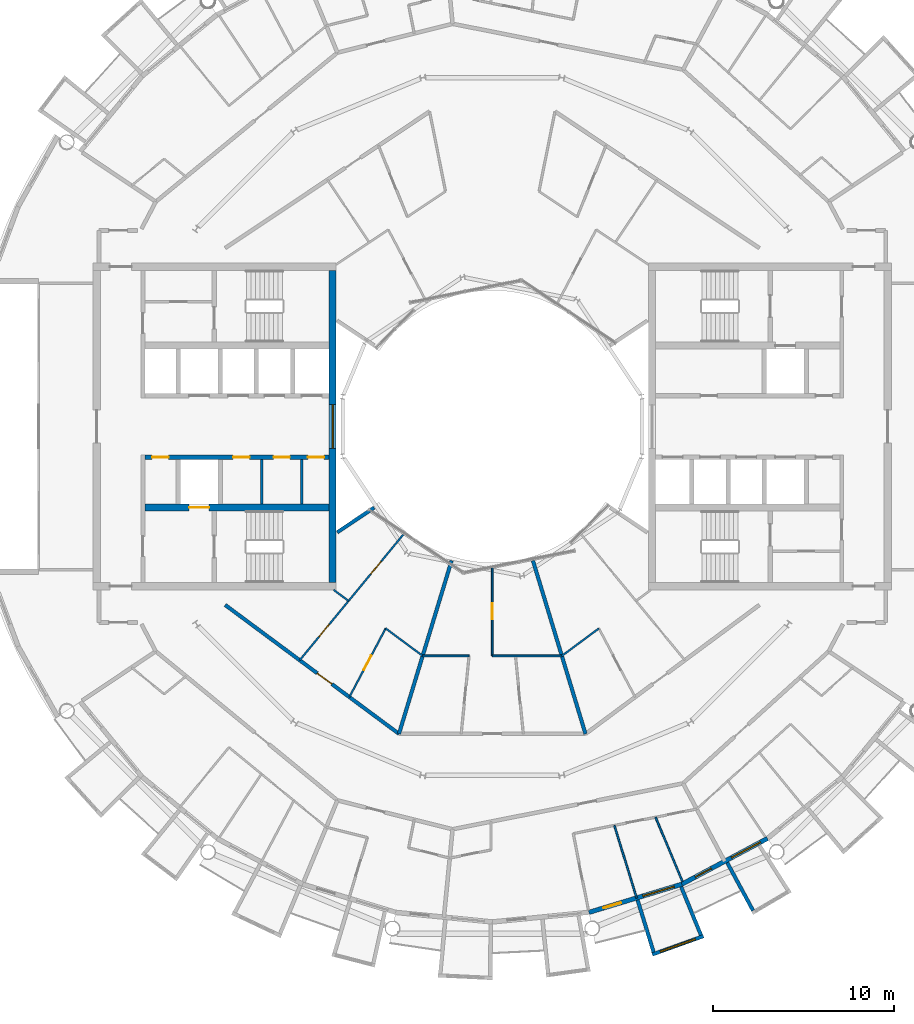
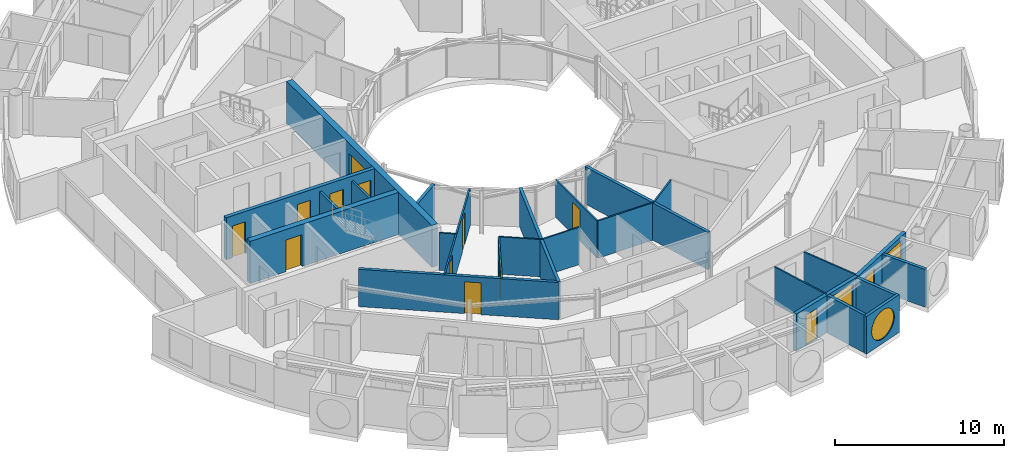
# One storey, part 17 of 28: 25 walls, 12 doors, 4 windows, 16 openings.
"""IFC4 building model written with IfcOpenShell, lengths in metres."""

from ifc_helpers import new_model, si_unit, direction, frame, frame_2d, origin, place, context, subcontext, project, spatial, rectangle, circle, extrude, material, layer, layer_set, type_object, element, fill, save


model = new_model("IFC4")

# Units and contexts
model_context = context("Model", 3, precision=1e-05, world=origin(), true_north=direction((0.0, 1.0)))
body_context = subcontext(model_context, "Body", "Model", "MODEL_VIEW")
ifc_project = project(units=[si_unit("LENGTHUNIT", "METRE"), si_unit("AREAUNIT", "SQUARE_METRE"), si_unit("VOLUMEUNIT", "CUBIC_METRE"), si_unit("PLANEANGLEUNIT", "RADIAN"), si_unit("MASSUNIT", "GRAM", prefix="KILO")], contexts=[model_context])

# Site, building, storey
site_placement = place(None, origin())
site = spatial("IfcSite", under=ifc_project, at=site_placement, CompositionType="ELEMENT")
building_placement = place(site_placement, origin())
building = spatial("IfcBuilding", under=site, at=building_placement, Name="Maasbend Ring Residences", CompositionType="ELEMENT")
storey_placement = place(building_placement, frame((0.0, 0.0, 227.949951171875)))
storey = spatial("IfcBuildingStorey", under=building, at=storey_placement, Name="L65", CompositionType="ELEMENT", Elevation=227.949951171875)

# Wall, openings, doors
ifc_material_1 = material(Name="Concrete C50/60", Category="concrete")
ifc_layer_1 = layer(ifc_material_1, 0.25)
ifc_layer_set_1 = layer_set([ifc_layer_1], Name="Concrete C50/60")
wall_type_1 = type_object("IfcWallType", Name="CORE WALL 250 C50/60", PredefinedType="SHEAR", material=ifc_layer_set_1)
wall_1_placement = place(storey_placement, frame((-9.0, -1.699951171875, 0.0), z_axis=(0.0, 0.0, 1.0), x_axis=(-1.0, 0.0, 0.0)))
wall_1 = element("IfcWall", 1, at=wall_1_placement, inside=storey, type_object=wall_type_1, Name="L65 core W wall SPN", PredefinedType="SHEAR", context=body_context, shape_type="SweptSolid", body=[
    extrude(rectangle(XDim=10.14990234375, YDim=0.25, at=frame_2d((5.074951171875, 0.0))), origin(), (0.0, 0.0, 1.0), 3.050048828125),
])
opening_1_placement = place(wall_1_placement, frame((0.262451171875, 0.0, 0.0)))
opening_1 = element("IfcOpeningElement", 2, at=opening_1_placement, cuts=wall_1, Name="Opening D-W6506", PredefinedType="OPENING", context=body_context, shape_type="SweptSolid", body=[
    extrude(rectangle(XDim=0.89990234375, YDim=2.300048828125, at=frame_2d((0.449951171875, 1.14990234375))), frame((0.0, 0.135009765625, 0.0), z_axis=(0.0, -1.0, 0.0), x_axis=(1.0, 0.0, 0.0)), (0.0, 0.0, 1.0), 0.27001953125),
])
opening_2_placement = place(wall_1_placement, frame((2.14990234375, 0.0, 0.0)))
opening_2 = element("IfcOpeningElement", 3, at=opening_2_placement, cuts=wall_1, Name="Opening D-W6507", PredefinedType="OPENING", context=body_context, shape_type="SweptSolid", body=[
    extrude(rectangle(XDim=0.89990234375, YDim=2.300048828125, at=frame_2d((0.449951171875, 1.14990234375))), frame((0.0, 0.135009765625, 0.0), z_axis=(0.0, -1.0, 0.0), x_axis=(1.0, 0.0, 0.0)), (0.0, 0.0, 1.0), 0.27001953125),
])
opening_3_placement = place(wall_1_placement, frame((4.375, 0.0, 0.0)))
opening_3 = element("IfcOpeningElement", 4, at=opening_3_placement, cuts=wall_1, Name="Opening D-W6508", PredefinedType="OPENING", context=body_context, shape_type="SweptSolid", body=[
    extrude(rectangle(XDim=0.89990234375, YDim=2.300048828125, at=frame_2d((0.449951171875, 1.14990234375))), frame((0.0, 0.135009765625, 0.0), z_axis=(0.0, -1.0, 0.0), x_axis=(1.0, 0.0, 0.0)), (0.0, 0.0, 1.0), 0.27001953125),
])
opening_4_placement = place(wall_1_placement, frame((8.83740234375, 0.0, 0.0)))
opening_4 = element("IfcOpeningElement", 5, at=opening_4_placement, cuts=wall_1, Name="Opening D-W6509", PredefinedType="OPENING", context=body_context, shape_type="SweptSolid", body=[
    extrude(rectangle(XDim=0.89990234375, YDim=2.300048828125, at=frame_2d((0.449951171875, 1.14990234375))), frame((0.0, 0.135009765625, 0.0), z_axis=(0.0, -1.0, 0.0), x_axis=(1.0, 0.0, 0.0)), (0.0, 0.0, 1.0), 0.27001953125),
])
ifc_material_2 = material(Name="Steel, powder coated", Category="steel")
door_type_1 = type_object("IfcDoorType", Name="ROOM DOOR 900 X 2300 FD30S", OperationType="NOTDEFINED", PredefinedType="DOOR", material=ifc_material_2)
door_1_placement = place(opening_1_placement, origin())
door_1 = element("IfcDoor", 6, at=door_1_placement, inside=storey, type_object=door_type_1, Name="Room door L65", OperationType="SINGLE_SWING_RIGHT", OverallHeight=2.300048828125, OverallWidth=0.89990234375, PredefinedType="DOOR", context=body_context, shape_type="SweptSolid", body=[
    extrude(rectangle(XDim=0.89990234375, YDim=2.300048828125, at=frame_2d((0.449951171875, 1.14990234375))), frame((0.0, 0.02490234375, 0.0), z_axis=(0.0, -1.0, 0.0), x_axis=(1.0, 0.0, 0.0)), (0.0, 0.0, 1.0), 0.050048828125),
])
fill(opening_1, door_1)
door_2_placement = place(opening_2_placement, origin())
door_2 = element("IfcDoor", 7, at=door_2_placement, inside=storey, type_object=door_type_1, Name="Room door L65", OperationType="SINGLE_SWING_RIGHT", OverallHeight=2.300048828125, OverallWidth=0.89990234375, PredefinedType="DOOR", context=body_context, shape_type="SweptSolid", body=[
    extrude(rectangle(XDim=0.89990234375, YDim=2.300048828125, at=frame_2d((0.449951171875, 1.14990234375))), frame((0.0, 0.02490234375, 0.0), z_axis=(0.0, -1.0, 0.0), x_axis=(1.0, 0.0, 0.0)), (0.0, 0.0, 1.0), 0.050048828125),
])
fill(opening_2, door_2)
door_3_placement = place(opening_3_placement, origin())
door_3 = element("IfcDoor", 8, at=door_3_placement, inside=storey, type_object=door_type_1, Name="Room door L65", OperationType="SINGLE_SWING_RIGHT", OverallHeight=2.300048828125, OverallWidth=0.89990234375, PredefinedType="DOOR", context=body_context, shape_type="SweptSolid", body=[
    extrude(rectangle(XDim=0.89990234375, YDim=2.300048828125, at=frame_2d((0.449951171875, 1.14990234375))), frame((0.0, 0.02490234375, 0.0), z_axis=(0.0, -1.0, 0.0), x_axis=(1.0, 0.0, 0.0)), (0.0, 0.0, 1.0), 0.050048828125),
])
fill(opening_3, door_3)
door_4_placement = place(opening_4_placement, origin())
door_4 = element("IfcDoor", 9, at=door_4_placement, inside=storey, type_object=door_type_1, Name="Room door L65", OperationType="SINGLE_SWING_LEFT", OverallHeight=2.300048828125, OverallWidth=0.89990234375, PredefinedType="DOOR", context=body_context, shape_type="SweptSolid", body=[
    extrude(rectangle(XDim=0.89990234375, YDim=2.300048828125, at=frame_2d((0.449951171875, 1.14990234375))), frame((0.0, 0.02490234375, 0.0), z_axis=(0.0, -1.0, 0.0), x_axis=(1.0, 0.0, 0.0)), (0.0, 0.0, 1.0), 0.050048828125),
])
fill(opening_4, door_4)

# Wall, opening, door
ifc_material_3 = material(Name="Concrete C50/60", Category="concrete")
ifc_layer_2 = layer(ifc_material_3, 0.375)
ifc_layer_set_2 = layer_set([ifc_layer_2], Name="Concrete C50/60")
wall_type_2 = type_object("IfcWallType", Name="CORE WALL 375 C50/60", PredefinedType="SHEAR", material=ifc_layer_set_2)
wall_2_placement = place(storey_placement, frame((-9.0, -4.46240234375, 0.0), z_axis=(0.0, 0.0, 1.0), x_axis=(-1.0, 0.0, 0.0)))
wall_2 = element("IfcWall", 10, at=wall_2_placement, inside=storey, type_object=wall_type_2, Name="L65 core W wall BN", PredefinedType="SHEAR", context=body_context, shape_type="SweptSolid", body=[
    extrude(rectangle(XDim=10.14990234375, YDim=0.375, at=frame_2d((5.074951171875, 0.0))), origin(), (0.0, 0.0, 1.0), 3.050048828125),
])
opening_5_placement = place(wall_2_placement, frame((6.60009765625, 0.0, 0.0)))
opening_5 = element("IfcOpeningElement", 11, at=opening_5_placement, cuts=wall_2, Name="Opening LD-W6501", PredefinedType="OPENING", context=body_context, shape_type="SweptSolid", body=[
    extrude(rectangle(XDim=1.10009765625, YDim=2.300048828125, at=frame_2d((0.550048828125, 1.14990234375))), frame((0.0, 0.197509765625, 0.0), z_axis=(0.0, -1.0, 0.0), x_axis=(1.0, 0.0, 0.0)), (0.0, 0.0, 1.0), 0.39501953125),
])
ifc_material_4 = material(Name="Stainless steel 316", Category="steel")
door_type_2 = type_object("IfcDoorType", Name="LANDING DOOR 1100 X 2300 FD60", OperationType="DOUBLE_DOOR_SLIDING", PredefinedType="DOOR", material=ifc_material_4)
door_5_placement = place(opening_5_placement, origin())
door_5 = element("IfcDoor", 12, at=door_5_placement, inside=storey, type_object=door_type_2, Name="Landing door FF-W L65", OperationType="DOUBLE_DOOR_SLIDING", OverallHeight=2.300048828125, OverallWidth=1.10009765625, PredefinedType="DOOR", context=body_context, shape_type="SweptSolid", body=[
    extrude(rectangle(XDim=1.10009765625, YDim=2.300048828125, at=frame_2d((0.550048828125, 1.14990234375))), frame((0.0, 0.02490234375, 0.0), z_axis=(0.0, -1.0, 0.0), x_axis=(1.0, 0.0, 0.0)), (0.0, 0.0, 1.0), 0.050048828125),
])
fill(opening_5, door_5)

# Wall, opening, window
ifc_material_5 = material(Name="Concrete C50/60", Category="concrete")
ifc_layer_3 = layer(ifc_material_5, 0.39990234375)
ifc_layer_set_3 = layer_set([ifc_layer_3], Name="Concrete C50/60")
wall_type_3 = type_object("IfcWallType", Name="CORE WALL 400 C50/60", PredefinedType="SHEAR", material=ifc_layer_set_3)
wall_3_placement = place(storey_placement, frame((-8.800048828125, 8.60009765625, 0.0), z_axis=(0.0, 0.0, 1.0), x_axis=(0.0, -1.0, 0.0)))
wall_3 = element("IfcWall", 13, at=wall_3_placement, inside=storey, type_object=wall_type_3, Name="L65 core W wall PIN", PredefinedType="SHEAR", context=body_context, shape_type="SweptSolid", body=[
    extrude(rectangle(XDim=17.2001953125, YDim=0.39990234375, at=frame_2d((8.60009765625, 0.0))), origin(), (0.0, 0.0, 1.0), 3.050048828125),
])
opening_6_placement = place(wall_3_placement, frame((7.39990234375, 0.0, 0.10009765625)))
opening_6 = element("IfcOpeningElement", 14, at=opening_6_placement, cuts=wall_3, Name="Opening W-W6501", PredefinedType="OPENING", context=body_context, shape_type="SweptSolid", body=[
    extrude(rectangle(XDim=2.39990234375, YDim=2.199951171875, at=frame_2d((1.199951171875, 1.10009765625))), frame((0.0, 0.2099609375, 0.0), z_axis=(0.0, -1.0, 0.0), x_axis=(1.0, 0.0, 0.0)), (0.0, 0.0, 1.0), 0.419921875),
])
ifc_material_6 = material(Name="Aluminium frame and clear glass", Category="aluminium")
window_type_1 = type_object("IfcWindowType", Name="FIXED WINDOW 2400 X 2200", PartitioningType="SINGLE_PANEL", PredefinedType="WINDOW", material=ifc_material_6)
window_1_placement = place(opening_6_placement, origin())
window_1 = element("IfcWindow", 15, at=window_1_placement, inside=storey, type_object=window_type_1, Name="Lobby window L65", OverallHeight=2.199951171875, OverallWidth=2.39990234375, PartitioningType="SINGLE_PANEL", PredefinedType="WINDOW", context=body_context, shape_type="SweptSolid", body=[
    extrude(rectangle(XDim=2.39990234375, YDim=2.199951171875, at=frame_2d((1.199951171875, 1.10009765625))), frame((0.0, 0.030029296875, 0.0), z_axis=(0.0, -1.0, 0.0), x_axis=(1.0, 0.0, 0.0)), (0.0, 0.0, 1.0), 0.06005859375),
])
fill(opening_6, window_1)

# Wall, opening, door
ifc_material_7 = material(Name="Concrete C30/37", Category="concrete")
ifc_layer_4 = layer(ifc_material_7, 0.199951171875)
ifc_layer_set_4 = layer_set([ifc_layer_4], Name="Concrete C30/37")
wall_type_4 = type_object("IfcWallType", Name="CORRIDOR WALL 200 CONCRETE", PredefinedType="PARTITIONING", material=ifc_layer_set_4)
wall_4_placement = place(storey_placement, frame((-14.718017578125, -9.8330078125, 0.0), z_axis=(0.0, 0.0, 1.0), x_axis=(0.803240181354, -0.595655278712, 0.0)))
wall_4 = element("IfcWall", 16, at=wall_4_placement, inside=storey, type_object=wall_type_4, Name="U-L65-w018", PredefinedType="PARTITIONING", context=body_context, shape_type="SweptSolid", body=[
    extrude(rectangle(XDim=11.927978515625, YDim=0.199951171875, at=frame_2d((5.9638671875, 0.0))), origin(), (0.0, 0.0, 1.0), 2.699951171875),
])
opening_7_placement = place(wall_4_placement, frame((6.31591796875, 0.0, 0.0)))
opening_7 = element("IfcOpeningElement", 17, at=opening_7_placement, cuts=wall_4, Name="Opening D-6545", PredefinedType="OPENING", context=body_context, shape_type="SweptSolid", body=[
    extrude(rectangle(XDim=1.0, YDim=2.300048828125, at=frame_2d((0.5, 1.14990234375))), frame((0.0, 0.10986328125, 0.0), z_axis=(0.0, -1.0, 0.0), x_axis=(1.0, 0.0, 0.0)), (0.0, 0.0, 1.0), 0.219970703125),
])
ifc_material_8 = material(Name="Timber, fire-rated, painted", Category="wood")
door_type_3 = type_object("IfcDoorType", Name="FLAT ENTRANCE DOOR 1000 X 2300 FIRE-RATED", OperationType="NOTDEFINED", PredefinedType="DOOR", material=ifc_material_8)
door_6_placement = place(opening_7_placement, origin())
door_6 = element("IfcDoor", 18, at=door_6_placement, inside=storey, type_object=door_type_3, Name="D-6545", OperationType="SINGLE_SWING_RIGHT", OverallHeight=2.300048828125, OverallWidth=1.0, PredefinedType="DOOR", context=body_context, shape_type="SweptSolid", body=[
    extrude(rectangle(XDim=1.0, YDim=2.300048828125, at=frame_2d((0.5, 1.14990234375))), frame((0.0, 0.02490234375, 0.0), z_axis=(0.0, -1.0, 0.0), x_axis=(1.0, 0.0, 0.0)), (0.0, 0.0, 1.0), 0.050048828125),
])
fill(opening_7, door_6)

# Wall, opening, window
ifc_material_9 = material(Name="Pale anodised aluminium panel", Category="aluminium")
ifc_layer_5 = layer(ifc_material_9, 0.199951171875)
ifc_layer_set_5 = layer_set([ifc_layer_5], Name="EW-BOX")
wall_type_5 = type_object("IfcWallType", Name="EW-BOX", PredefinedType="SOLIDWALL", material=ifc_layer_set_5)
wall_5_placement = place(storey_placement, frame((8.820068359375, -29.093017578125, -0.030029296875), z_axis=(0.0, 0.0, 1.0), x_axis=(0.941461077774, 0.337121697664, 0.0)))
wall_5 = element("IfcWall", 19, at=wall_5_placement, inside=storey, type_object=wall_type_5, Name="Box front S14", PredefinedType="SOLIDWALL", context=body_context, shape_type="SweptSolid", body=[
    extrude(rectangle(XDim=2.9931640625, YDim=0.199951171875, at=frame_2d((1.49658203125, 0.0))), origin(), (0.0, 0.0, 1.0), 2.72998046875),
])
opening_8_placement = place(wall_5_placement, frame((0.45654296875, 0.0, 0.330078125)))
opening_8 = element("IfcOpeningElement", 20, at=opening_8_placement, cuts=wall_5, Name="Opening W-RD", PredefinedType="OPENING", context=body_context, shape_type="SweptSolid", body=[
    extrude(circle(Radius=1.0400390625, at=frame_2d((1.0400390625, 1.0400390625))), frame((0.0, 0.10986328125, 0.0), z_axis=(0.0, -1.0, 0.0), x_axis=(1.0, 0.0, 0.0)), (0.0, 0.0, 1.0), 0.219970703125),
])
ifc_material_10 = material(Name="Aluminium and clear glass", Category="aluminium")
window_type_2 = type_object("IfcWindowType", Name="W-RD", PartitioningType="SINGLE_PANEL", PredefinedType="WINDOW", material=ifc_material_10)
window_2_placement = place(opening_8_placement, origin())
window_2 = element("IfcWindow", 21, at=window_2_placement, inside=storey, type_object=window_type_2, Name="Round window S14", OverallHeight=2.080078125, OverallWidth=2.080078125, PartitioningType="SINGLE_PANEL", PredefinedType="WINDOW", context=body_context, shape_type="SweptSolid", body=[
    extrude(circle(Radius=1.0400390625, at=frame_2d((1.0400390625, 1.0400390625))), frame((0.0, 0.030029296875, 0.0), z_axis=(0.0, -1.0, 0.0), x_axis=(1.0, 0.0, 0.0)), (0.0, 0.0, 1.0), 0.06005859375),
])
fill(opening_8, window_2)

# Walls
wall_6_placement = place(storey_placement, frame((8.009033203125, -26.092041015625, -0.030029296875), z_axis=(0.0, 0.0, 1.0), x_axis=(0.293406695073, -0.955987715029, 0.0)))
element("IfcWall", 22, at=wall_6_placement, inside=storey, type_object=wall_type_5, Name="Box side wall S14 left", PredefinedType="SOLIDWALL", context=body_context, shape_type="SweptSolid", body=[
    extrude(rectangle(XDim=3.00634765625, YDim=0.199951171875, at=frame_2d((1.503173828125, 0.0))), origin(), (0.0, 0.0, 1.0), 2.72998046875),
])
wall_7_placement = place(storey_placement, frame((10.408935546875, -25.364013671875, -0.030029296875), z_axis=(0.0, 0.0, 1.0), x_axis=(0.379509886562, -0.925187681501, 0.0)))
element("IfcWall", 23, at=wall_7_placement, inside=storey, type_object=wall_type_5, Name="Box side wall S14 right", PredefinedType="SOLIDWALL", context=body_context, shape_type="SweptSolid", body=[
    extrude(rectangle(XDim=2.882568359375, YDim=0.199951171875, at=frame_2d((1.44140625, 0.0))), origin(), (0.0, 0.0, 1.0), 2.72998046875),
])
wall_8_placement = place(storey_placement, frame((12.945068359375, -24.029052734375, -0.030029296875), z_axis=(0.0, 0.0, 1.0), x_axis=(0.474424310775, -0.88029629861, 0.0)))
element("IfcWall", 24, at=wall_8_placement, inside=storey, type_object=wall_type_5, Name="Box side wall S16 left", PredefinedType="SOLIDWALL", context=body_context, shape_type="SweptSolid", body=[
    extrude(rectangle(XDim=3.005859375, YDim=0.199951171875, at=frame_2d((1.5029296875, 0.0))), origin(), (0.0, 0.0, 1.0), 2.72998046875),
])

# Wall, openings, door, window
ifc_material_11 = material(Name="Aluminium clad insulated panel", Category="aluminium")
ifc_layer_6 = layer(ifc_material_11, 0.25)
ifc_layer_set_6 = layer_set([ifc_layer_6], Name="EW-GL")
wall_type_6 = type_object("IfcWallType", Name="EW-GL", PredefinedType="SOLIDWALL", material=ifc_layer_set_6)
wall_9_placement = place(storey_placement, frame((5.325927734375, -26.77490234375, 0.0), z_axis=(0.0, 0.0, 1.0), x_axis=(0.956965678721, 0.290201119486, 0.0)))
wall_9 = element("IfcWall", 25, at=wall_9_placement, inside=storey, type_object=wall_type_6, Name="External wall S07", PredefinedType="SOLIDWALL", context=body_context, shape_type="SweptSolid", body=[
    extrude(rectangle(XDim=5.351318359375, YDim=0.25, at=frame_2d((2.67578125, 0.0))), origin(), (0.0, 0.0, 1.0), 2.699951171875),
])
opening_9_placement = place(wall_9_placement, frame((0.841064453125, 0.0, 0.0)))
opening_9 = element("IfcOpeningElement", 26, at=opening_9_placement, cuts=wall_9, Name="Opening D-LG", PredefinedType="OPENING", context=body_context, shape_type="SweptSolid", body=[
    extrude(rectangle(XDim=1.0, YDim=2.199951171875, at=frame_2d((0.5, 1.10009765625))), frame((0.0, 0.135009765625, 0.0), z_axis=(0.0, -1.0, 0.0), x_axis=(1.0, 0.0, 0.0)), (0.0, 0.0, 1.0), 0.27001953125),
])
opening_10_placement = place(wall_9_placement, frame((3.110595703125, 0.0, 0.300048828125)))
opening_10 = element("IfcOpeningElement", 27, at=opening_10_placement, cuts=wall_9, Name="Opening W-BX", PredefinedType="OPENING", context=body_context, shape_type="SweptSolid", body=[
    extrude(rectangle(XDim=1.800048828125, YDim=2.10009765625, at=frame_2d((0.89990234375, 1.050048828125))), frame((0.0, 0.135009765625, 0.0), z_axis=(0.0, -1.0, 0.0), x_axis=(1.0, 0.0, 0.0)), (0.0, 0.0, 1.0), 0.27001953125),
])
ifc_material_12 = material(Name="Aluminium and clear glass", Category="aluminium")
door_type_4 = type_object("IfcDoorType", Name="D-LG", OperationType="SINGLE_SWING_LEFT", PredefinedType="DOOR", material=ifc_material_12)
door_7_placement = place(opening_9_placement, origin())
door_7 = element("IfcDoor", 28, at=door_7_placement, inside=storey, type_object=door_type_4, Name="Loggia door S13", OperationType="SINGLE_SWING_LEFT", OverallHeight=2.199951171875, OverallWidth=1.0, PredefinedType="DOOR", context=body_context, shape_type="SweptSolid", body=[
    extrude(rectangle(XDim=1.0, YDim=2.199951171875, at=frame_2d((0.5, 1.10009765625))), frame((0.0, 0.02490234375, 0.0), z_axis=(0.0, -1.0, 0.0), x_axis=(1.0, 0.0, 0.0)), (0.0, 0.0, 1.0), 0.050048828125),
])
fill(opening_9, door_7)
ifc_material_13 = material(Name="Aluminium and clear glass", Category="aluminium")
window_type_3 = type_object("IfcWindowType", Name="W-BX", PartitioningType="DOUBLE_PANEL_VERTICAL", PredefinedType="WINDOW", material=ifc_material_13)
window_3_placement = place(opening_10_placement, origin())
window_3 = element("IfcWindow", 29, at=window_3_placement, inside=storey, type_object=window_type_3, Name="Window S14 room to box", OverallHeight=2.10009765625, OverallWidth=1.800048828125, PartitioningType="SINGLE_PANEL", PredefinedType="WINDOW", context=body_context, shape_type="SweptSolid", body=[
    extrude(rectangle(XDim=1.800048828125, YDim=2.10009765625, at=frame_2d((0.89990234375, 1.050048828125))), frame((0.0, 0.030029296875, 0.0), z_axis=(0.0, -1.0, 0.0), x_axis=(1.0, 0.0, 0.0)), (0.0, 0.0, 1.0), 0.06005859375),
])
fill(opening_10, window_3)

wall_10_placement = place(storey_placement, frame((10.447021484375, -25.221923828125, 0.0), z_axis=(0.0, 0.0, 1.0), x_axis=(0.881915646801, 0.471407246368, 0.0)))
wall_10 = element("IfcWall", 30, at=wall_10_placement, inside=storey, type_object=wall_type_6, Name="External wall S08", PredefinedType="SOLIDWALL", context=body_context, shape_type="SweptSolid", body=[
    extrude(rectangle(XDim=5.35205078125, YDim=0.25, at=frame_2d((2.676025390625, 0.0))), origin(), (0.0, 0.0, 1.0), 2.699951171875),
])
opening_11_placement = place(wall_10_placement, frame((0.841064453125, 0.0, 0.0)))
opening_11 = element("IfcOpeningElement", 31, at=opening_11_placement, cuts=wall_10, Name="Opening D-LG", PredefinedType="OPENING", context=body_context, shape_type="SweptSolid", body=[
    extrude(rectangle(XDim=1.0, YDim=2.199951171875, at=frame_2d((0.5, 1.10009765625))), frame((0.0, 0.135009765625, 0.0), z_axis=(0.0, -1.0, 0.0), x_axis=(1.0, 0.0, 0.0)), (0.0, 0.0, 1.0), 0.27001953125),
])
opening_12_placement = place(wall_10_placement, frame((3.110595703125, 0.0, 0.300048828125)))
opening_12 = element("IfcOpeningElement", 32, at=opening_12_placement, cuts=wall_10, Name="Opening W-BX", PredefinedType="OPENING", context=body_context, shape_type="SweptSolid", body=[
    extrude(rectangle(XDim=1.800048828125, YDim=2.10009765625, at=frame_2d((0.89990234375, 1.050048828125))), frame((0.0, 0.135009765625, 0.0), z_axis=(0.0, -1.0, 0.0), x_axis=(1.0, 0.0, 0.0)), (0.0, 0.0, 1.0), 0.27001953125),
])
door_8_placement = place(opening_11_placement, origin())
door_8 = element("IfcDoor", 33, at=door_8_placement, inside=storey, type_object=door_type_4, Name="Loggia door S15", OperationType="SINGLE_SWING_LEFT", OverallHeight=2.199951171875, OverallWidth=1.0, PredefinedType="DOOR", context=body_context, shape_type="SweptSolid", body=[
    extrude(rectangle(XDim=1.0, YDim=2.199951171875, at=frame_2d((0.5, 1.10009765625))), frame((0.0, 0.02490234375, 0.0), z_axis=(0.0, -1.0, 0.0), x_axis=(1.0, 0.0, 0.0)), (0.0, 0.0, 1.0), 0.050048828125),
])
fill(opening_11, door_8)
window_4_placement = place(opening_12_placement, origin())
window_4 = element("IfcWindow", 34, at=window_4_placement, inside=storey, type_object=window_type_3, Name="Window S16 room to box", OverallHeight=2.10009765625, OverallWidth=1.800048828125, PartitioningType="SINGLE_PANEL", PredefinedType="WINDOW", context=body_context, shape_type="SweptSolid", body=[
    extrude(rectangle(XDim=1.800048828125, YDim=2.10009765625, at=frame_2d((0.89990234375, 1.050048828125))), frame((0.0, 0.030029296875, 0.0), z_axis=(0.0, -1.0, 0.0), x_axis=(1.0, 0.0, 0.0)), (0.0, 0.0, 1.0), 0.06005859375),
])
fill(opening_12, window_4)

# Walls
ifc_material_14 = material(Name="Gypsum board on steel studs", Category="steel")
ifc_layer_7 = layer(ifc_material_14, 0.10009765625)
ifc_layer_set_7 = layer_set([ifc_layer_7], Name="PARTITION 100 GYPSUM")
wall_type_7 = type_object("IfcWallType", Name="PARTITION 100 GYPSUM", PredefinedType="PARTITIONING", material=ifc_layer_set_7)
wall_11_placement = place(storey_placement, frame((-3.833984375, -12.639892578125, 0.0), z_axis=(0.0, 0.0, 1.0), x_axis=(1.0, 0.0, 0.0)))
element("IfcWall", 35, at=wall_11_placement, inside=storey, type_object=wall_type_7, Name="U-L65-w020", PredefinedType="PARTITIONING", context=body_context, shape_type="SweptSolid", body=[
    extrude(rectangle(XDim=2.555908203125, YDim=0.10009765625, at=frame_2d((1.27783203125, 0.0))), origin(), (0.0, 0.0, 1.0), 2.699951171875),
])
wall_12_placement = place(storey_placement, frame((0.0, -12.639892578125, 0.0), z_axis=(0.0, 0.0, 1.0), x_axis=(1.0, 0.0, 0.0)))
element("IfcWall", 36, at=wall_12_placement, inside=storey, type_object=wall_type_7, Name="U-L65-w021", PredefinedType="PARTITIONING", context=body_context, shape_type="SweptSolid", body=[
    extrude(rectangle(XDim=3.833984375, YDim=0.10009765625, at=frame_2d((1.9169921875, 0.0))), origin(), (0.0, 0.0, 1.0), 2.699951171875),
])
wall_13_placement = place(storey_placement, frame((-8.742919921875, -9.0, 0.0), z_axis=(0.0, 0.0, 1.0), x_axis=(0.80321556998, -0.595688465677, 0.0)))
element("IfcWall", 37, at=wall_13_placement, inside=storey, type_object=wall_type_7, Name="U-L65-w022", PredefinedType="PARTITIONING", context=body_context, shape_type="SweptSolid", body=[
    extrude(rectangle(XDim=1.02587890625, YDim=0.10009765625, at=frame_2d((0.512939453125, 0.0))), origin(), (0.0, 0.0, 1.0), 2.699951171875),
])
for number, where, z_axis, x_axis, name in (
    (38, (-5.876953125, -11.125, 0.0), (0.0, 0.0, 1.0), (0.803259509791, -0.595629213463, 0.0), "U-L65-w023"),
    (39, (3.833984375, -12.639892578125, 0.0), (0.0, 0.0, 1.0), (0.803259509791, 0.595629213463, 0.0), "U-L65-w024"),
):
    element("IfcWall", number, at=place(storey_placement, frame(where, z_axis=z_axis, x_axis=x_axis)), inside=storey, type_object=wall_type_7, Name=name, PredefinedType="PARTITIONING", context=body_context, shape_type="SweptSolid", body=[
        extrude(rectangle(XDim=2.54345703125, YDim=0.10009765625, at=frame_2d((1.271728515625, 0.0))), origin(), (0.0, 0.0, 1.0), 2.699951171875),
    ])

# Wall, openings, doors
wall_14_placement = place(storey_placement, frame((-10.612060546875, -12.8779296875, 0.0), z_axis=(0.0, 0.0, 1.0), x_axis=(0.636115614725, 0.771593756262, 0.0)))
wall_14 = element("IfcWall", 40, at=wall_14_placement, inside=storey, type_object=wall_type_7, Name="U-L65-w040", PredefinedType="PARTITIONING", context=body_context, shape_type="SweptSolid", body=[
    extrude(rectangle(XDim=8.967041015625, YDim=0.10009765625, at=frame_2d((4.4833984375, 0.0))), origin(), (0.0, 0.0, 1.0), 2.699951171875),
])
opening_13_placement = place(wall_14_placement, frame((1.6669921875, 0.0, 0.0)))
opening_13 = element("IfcOpeningElement", 41, at=opening_13_placement, cuts=wall_14, Name="Opening D-6547", PredefinedType="OPENING", context=body_context, shape_type="SweptSolid", body=[
    extrude(rectangle(XDim=0.89990234375, YDim=2.300048828125, at=frame_2d((0.449951171875, 1.14990234375))), frame((0.0, 0.06005859375, 0.0), z_axis=(0.0, -1.0, 0.0), x_axis=(1.0, 0.0, 0.0)), (0.0, 0.0, 1.0), 0.1201171875),
])
opening_14_placement = place(wall_14_placement, frame((6.15087890625, 0.0, 0.0)))
opening_14 = element("IfcOpeningElement", 42, at=opening_14_placement, cuts=wall_14, Name="Opening D-6548", PredefinedType="OPENING", context=body_context, shape_type="SweptSolid", body=[
    extrude(rectangle(XDim=0.89990234375, YDim=2.300048828125, at=frame_2d((0.449951171875, 1.14990234375))), frame((0.0, 0.06005859375, 0.0), z_axis=(0.0, -1.0, 0.0), x_axis=(1.0, 0.0, 0.0)), (0.0, 0.0, 1.0), 0.1201171875),
])
ifc_material_15 = material(Name="Timber, painted", Category="wood")
door_type_5 = type_object("IfcDoorType", Name="INTERNAL DOOR 900 X 2300", OperationType="NOTDEFINED", PredefinedType="DOOR", material=ifc_material_15)
door_9_placement = place(opening_13_placement, origin())
door_9 = element("IfcDoor", 43, at=door_9_placement, inside=storey, type_object=door_type_5, Name="D-6547", OperationType="SINGLE_SWING_LEFT", OverallHeight=2.300048828125, OverallWidth=0.89990234375, PredefinedType="DOOR", context=body_context, shape_type="SweptSolid", body=[
    extrude(rectangle(XDim=0.89990234375, YDim=2.300048828125, at=frame_2d((0.449951171875, 1.14990234375))), frame((0.0, 0.02490234375, 0.0), z_axis=(0.0, -1.0, 0.0), x_axis=(1.0, 0.0, 0.0)), (0.0, 0.0, 1.0), 0.050048828125),
])
fill(opening_13, door_9)
door_10_placement = place(opening_14_placement, origin())
door_10 = element("IfcDoor", 44, at=door_10_placement, inside=storey, type_object=door_type_5, Name="D-6548", OperationType="SINGLE_SWING_RIGHT", OverallHeight=2.300048828125, OverallWidth=0.89990234375, PredefinedType="DOOR", context=body_context, shape_type="SweptSolid", body=[
    extrude(rectangle(XDim=0.89990234375, YDim=2.300048828125, at=frame_2d((0.449951171875, 1.14990234375))), frame((0.0, 0.02490234375, 0.0), z_axis=(0.0, -1.0, 0.0), x_axis=(1.0, 0.0, 0.0)), (0.0, 0.0, 1.0), 0.050048828125),
])
fill(opening_14, door_10)

# Wall, opening, door
wall_15_placement = place(storey_placement, frame((-7.8740234375, -14.908935546875, 0.0), z_axis=(0.0, 0.0, 1.0), x_axis=(0.467030118529, 0.884241408432, 0.0)))
wall_15 = element("IfcWall", 45, at=wall_15_placement, inside=storey, type_object=wall_type_7, Name="U-L65-w046", PredefinedType="PARTITIONING", context=body_context, shape_type="SweptSolid", body=[
    extrude(rectangle(XDim=4.278076171875, YDim=0.10009765625, at=frame_2d((2.13916015625, 0.0))), origin(), (0.0, 0.0, 1.0), 2.699951171875),
])
opening_15_placement = place(wall_15_placement, frame((1.68994140625, 0.0, 0.0)))
opening_15 = element("IfcOpeningElement", 46, at=opening_15_placement, cuts=wall_15, Name="Opening D-6546", PredefinedType="OPENING", context=body_context, shape_type="SweptSolid", body=[
    extrude(rectangle(XDim=0.89990234375, YDim=2.300048828125, at=frame_2d((0.449951171875, 1.14990234375))), frame((0.0, 0.06005859375, 0.0), z_axis=(0.0, -1.0, 0.0), x_axis=(1.0, 0.0, 0.0)), (0.0, 0.0, 1.0), 0.1201171875),
])
door_11_placement = place(opening_15_placement, origin())
door_11 = element("IfcDoor", 47, at=door_11_placement, inside=storey, type_object=door_type_5, Name="D-6546", OperationType="SINGLE_SWING_RIGHT", OverallHeight=2.300048828125, OverallWidth=0.89990234375, PredefinedType="DOOR", context=body_context, shape_type="SweptSolid", body=[
    extrude(rectangle(XDim=0.89990234375, YDim=2.300048828125, at=frame_2d((0.449951171875, 1.14990234375))), frame((0.0, 0.02490234375, 0.0), z_axis=(0.0, -1.0, 0.0), x_axis=(1.0, 0.0, 0.0)), (0.0, 0.0, 1.0), 0.050048828125),
])
fill(opening_15, door_11)

wall_16_placement = place(storey_placement, frame((0.0, -12.639892578125, 0.0), z_axis=(0.0, 0.0, 1.0), x_axis=(0.0, 1.0, 0.0)))
wall_16 = element("IfcWall", 48, at=wall_16_placement, inside=storey, type_object=wall_type_7, Name="U-L65-w055", PredefinedType="PARTITIONING", context=body_context, shape_type="SweptSolid", body=[
    extrude(rectangle(XDim=4.919921875, YDim=0.10009765625, at=frame_2d((2.4599609375, 0.0))), origin(), (0.0, 0.0, 1.0), 2.699951171875),
])
opening_16_placement = place(wall_16_placement, frame((2.010009765625, 0.0, 0.0)))
opening_16 = element("IfcOpeningElement", 49, at=opening_16_placement, cuts=wall_16, Name="Opening D-6552", PredefinedType="OPENING", context=body_context, shape_type="SweptSolid", body=[
    extrude(rectangle(XDim=0.89990234375, YDim=2.300048828125, at=frame_2d((0.449951171875, 1.14990234375))), frame((0.0, 0.06005859375, 0.0), z_axis=(0.0, -1.0, 0.0), x_axis=(1.0, 0.0, 0.0)), (0.0, 0.0, 1.0), 0.1201171875),
])
door_12_placement = place(opening_16_placement, origin())
door_12 = element("IfcDoor", 50, at=door_12_placement, inside=storey, type_object=door_type_5, Name="D-6552", OperationType="SINGLE_SWING_RIGHT", OverallHeight=2.300048828125, OverallWidth=0.89990234375, PredefinedType="DOOR", context=body_context, shape_type="SweptSolid", body=[
    extrude(rectangle(XDim=0.89990234375, YDim=2.300048828125, at=frame_2d((0.449951171875, 1.14990234375))), frame((0.0, 0.02490234375, 0.0), z_axis=(0.0, -1.0, 0.0), x_axis=(1.0, 0.0, 0.0)), (0.0, 0.0, 1.0), 0.050048828125),
])
fill(opening_16, door_12)

# Walls
wall_17_placement = place(storey_placement, frame((6.72998046875, -21.97998046875, 0.0), z_axis=(0.0, 0.0, 1.0), x_axis=(0.292799128207, -0.956173975028, 0.0)))
element("IfcWall", 51, at=wall_17_placement, inside=storey, type_object=wall_type_7, Name="U-L65-w065", PredefinedType="PARTITIONING", context=body_context, shape_type="SweptSolid", body=[
    extrude(rectangle(XDim=4.1875, YDim=0.10009765625, at=frame_2d((2.09375, 0.0))), origin(), (0.0, 0.0, 1.0), 2.699951171875),
])
wall_18_placement = place(storey_placement, frame((8.998046875, -21.529052734375, 0.0), z_axis=(0.0, 0.0, 1.0), x_axis=(0.385572005139, -0.922677749192, 0.0)))
element("IfcWall", 52, at=wall_18_placement, inside=storey, type_object=wall_type_7, Name="U-L65-w068", PredefinedType="PARTITIONING", context=body_context, shape_type="SweptSolid", body=[
    extrude(rectangle(XDim=3.8408203125, YDim=0.10009765625, at=frame_2d((1.92041015625, 0.0))), origin(), (0.0, 0.0, 1.0), 2.699951171875),
])
ifc_material_16 = material(Name="Gypsum board on steel studs", Category="steel")
ifc_layer_8 = layer(ifc_material_16, 0.14990234375)
ifc_layer_set_8 = layer_set([ifc_layer_8], Name="PARTITION 150 EI 60")
wall_type_8 = type_object("IfcWallType", Name="PARTITION 150 EI 60", PredefinedType="PARTITIONING", material=ifc_layer_set_8)
for number, where, z_axis, x_axis, name in (
    (53, (-10.5, -1.824951171875, 0.0), (0.0, 0.0, 1.0), (0.0, -1.0, 0.0), "L65 core W wall PRN1050"),
    (54, (-12.699951171875, -1.824951171875, 0.0), (0.0, 0.0, 1.0), (0.0, -1.0, 0.0), "L65 core W wall PRN1270"),
):
    element("IfcWall", number, at=place(storey_placement, frame(where, z_axis=z_axis, x_axis=x_axis)), inside=storey, type_object=wall_type_8, Name=name, PredefinedType="PARTITIONING", context=body_context, shape_type="SweptSolid", body=[
        extrude(rectangle(XDim=2.449951171875, YDim=0.14990234375, at=frame_2d((1.22509765625, 0.0))), origin(), (0.0, 0.0, 1.0), 2.699951171875),
    ])
ifc_material_17 = material(Name="Concrete C30/37", Category="concrete")
ifc_layer_9 = layer(ifc_material_17, 0.199951171875)
ifc_layer_set_9 = layer_set([ifc_layer_9], Name="Concrete C30/37")
wall_type_9 = type_object("IfcWallType", Name="PARTY WALL 200 CONCRETE", PredefinedType="PARTITIONING", material=ifc_layer_set_9)
wall_19_placement = place(storey_placement, frame((-6.512939453125, -4.471923828125, 0.0), z_axis=(0.0, 0.0, 1.0), x_axis=(-0.831450132577, -0.555599385382, 0.0)))
element("IfcWall", 55, at=wall_19_placement, inside=storey, type_object=wall_type_9, Name="U-L65-w028", PredefinedType="PARTITIONING", context=body_context, shape_type="SweptSolid", body=[
    extrude(rectangle(XDim=2.442626953125, YDim=0.199951171875, at=frame_2d((1.22119140625, 0.0))), origin(), (0.0, 0.0, 1.0), 2.699951171875),
])
wall_20_placement = place(storey_placement, frame((-5.14208984375, -16.93701171875, 0.0), z_axis=(0.0, 0.0, 1.0), x_axis=(0.290781963486, 0.95678934448, 0.0)))
element("IfcWall", 56, at=wall_20_placement, inside=storey, type_object=wall_type_9, Name="U-L65-w049", PredefinedType="PARTITIONING", context=body_context, shape_type="SweptSolid", body=[
    extrude(rectangle(XDim=9.980224609375, YDim=0.199951171875, at=frame_2d((4.990234375, 0.0))), origin(), (0.0, 0.0, 1.0), 2.699951171875),
])
wall_21_placement = place(storey_placement, frame((2.240966796875, -7.387939453125, 0.0), z_axis=(0.0, 0.0, 1.0), x_axis=(0.290284403441, -0.956940418793, 0.0)))
element("IfcWall", 57, at=wall_21_placement, inside=storey, type_object=wall_type_9, Name="U-L65-w058", PredefinedType="PARTITIONING", context=body_context, shape_type="SweptSolid", body=[
    extrude(rectangle(XDim=9.979736328125, YDim=0.199951171875, at=frame_2d((4.98974609375, 0.0))), origin(), (0.0, 0.0, 1.0), 2.699951171875),
])

save(model, "model.ifc")
